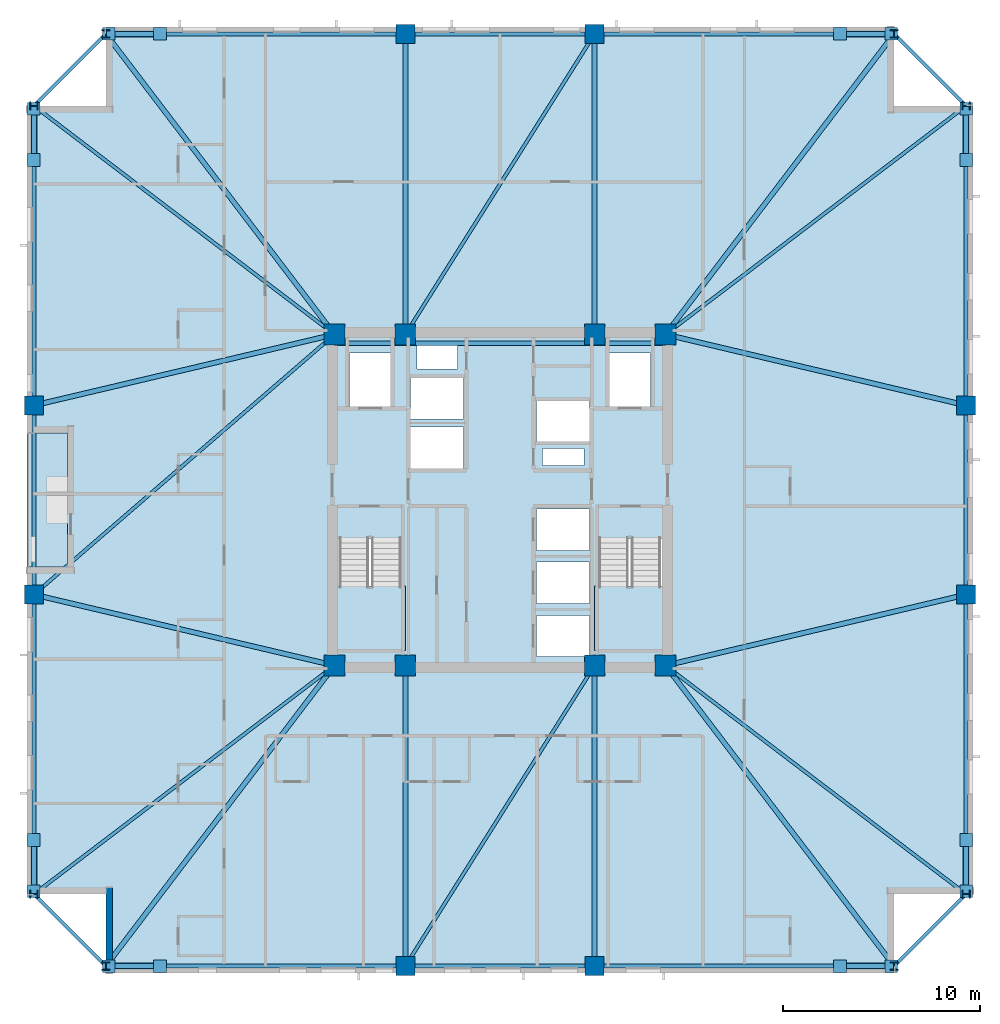
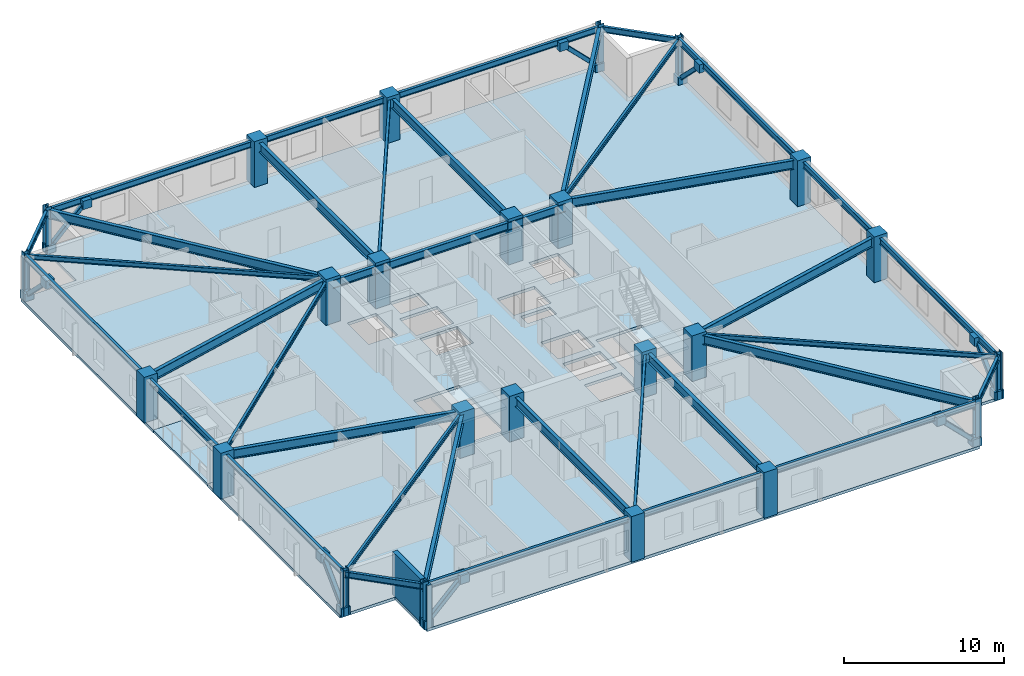
# One storey, part 1 of 11: 38 beams, 24 columns, 16 plates, 8 members, 4 slabs, 1 wall, 2 elements without a shape of their own.
"""IFC4 building model written with IfcOpenShell, lengths in metres."""

from ifc_helpers import new_model, si_unit, direction, frame, frame_2d, origin, origin_2d, place, context, subcontext, project, spatial, polyline, rectangle, hollow_rectangle, i_section, outline, extrude, material, layer, layer_set, material_profile, profile_set, type_object, element, aggregate, save


model = new_model("IFC4")

# Units and contexts
model_context = context("Model", 3, precision=1e-05, world=origin(), true_north=direction((0.0, 1.0)))
body_context = subcontext(model_context, "Body", "Model", "MODEL_VIEW")
ifc_project = project(units=[si_unit("LENGTHUNIT", "METRE"), si_unit("AREAUNIT", "SQUARE_METRE"), si_unit("VOLUMEUNIT", "CUBIC_METRE"), si_unit("PLANEANGLEUNIT", "RADIAN"), si_unit("MASSUNIT", "GRAM", prefix="KILO")], contexts=[model_context])

# Site, building, storey
site_placement = place(None, origin())
site = spatial("IfcSite", under=ifc_project, at=site_placement, CompositionType="ELEMENT")
building_placement = place(site_placement, origin())
building = spatial("IfcBuilding", under=site, at=building_placement, Name="Cairnveth Concourse Tower", CompositionType="ELEMENT")
storey_placement = place(building_placement, frame((0.0, 0.0, 123.5)))
storey = spatial("IfcBuildingStorey", under=building, at=storey_placement, Name="L33", CompositionType="ELEMENT", Elevation=123.5)

# Columns
ifc_material_1 = material(Name="Concrete N65 (65 MPa)", Category="concrete")
ifc_material_profile_1 = material_profile(ifc_material_1, rectangle(XDim=1.050048828125, YDim=1.050048828125, at=origin_2d()), Name="RC-COL-1050x1050")
ifc_profile_set_1 = profile_set([ifc_material_profile_1], Name="Concrete N65 (65 MPa)")
column_type_1 = type_object("IfcColumnType", Name="CORE COLUMN 1050X1050", PredefinedType="COLUMN", material=ifc_profile_set_1)
for number, where, z_axis, x_axis, name in (
    (1, (43.60009765625, 30.60009765625, 0.0), (0.0, 0.0, 1.0), (1.0, 0.0, 0.0), "Column CC1 L33"),
    (2, (47.199951171875, 30.60009765625, 0.0), (0.0, 0.0, 1.0), (1.0, 0.0, 0.0), "Column CC2 L33"),
    (3, (56.800048828125, 30.60009765625, 0.0), (0.0, 0.0, 1.0), (1.0, 0.0, 0.0), "Column CC3 L33"),
    (4, (60.39990234375, 30.60009765625, 0.0), (0.0, 0.0, 1.0), (1.0, 0.0, 0.0), "Column CC4 L33"),
    (5, (43.60009765625, 47.39990234375, 0.0), (0.0, 0.0, 1.0), (1.0, 0.0, 0.0), "Column CC5 L33"),
    (6, (47.199951171875, 47.39990234375, 0.0), (0.0, 0.0, 1.0), (1.0, 0.0, 0.0), "Column CC6 L33"),
    (7, (56.800048828125, 47.39990234375, 0.0), (0.0, 0.0, 1.0), (1.0, 0.0, 0.0), "Column CC7 L33"),
    (8, (60.39990234375, 47.39990234375, 0.0), (0.0, 0.0, 1.0), (1.0, 0.0, 0.0), "Column CC8 L33"),
):
    element("IfcColumn", number, at=place(storey_placement, frame(where, z_axis=z_axis, x_axis=x_axis)), inside=storey, type_object=column_type_1, Name=name, PredefinedType="COLUMN", context=body_context, shape_type="SweptSolid", body=[
        extrude(rectangle(XDim=1.050048828125, YDim=1.050048828125, at=origin_2d()), origin(), (0.0, 0.0, 1.0), 3.5),
    ])
ifc_material_profile_2 = material_profile(ifc_material_1, rectangle(XDim=0.949951171875, YDim=0.949951171875, at=origin_2d()), Name="RC-COL-950x950")
ifc_profile_set_2 = profile_set([ifc_material_profile_2], Name="Concrete N65 (65 MPa)")
column_type_2 = type_object("IfcColumnType", Name="PERIMETER PIER COLUMN 950X950", PredefinedType="COLUMN", material=ifc_profile_set_2)
for number, where, z_axis, x_axis, name in (
    (9, (47.199951171875, 15.35009765625, 0.0), (0.0, 0.0, 1.0), (1.0, 0.0, 0.0), "Column P-S2 L33"),
    (10, (56.800048828125, 15.35009765625, 0.0), (0.0, 0.0, 1.0), (1.0, 0.0, 0.0), "Column P-S3 L33"),
    (11, (75.64990234375, 34.199951171875, 0.0), (0.0, 0.0, 1.0), (0.0, 1.0, 0.0), "Column P-E2 L33"),
    (12, (75.64990234375, 43.800048828125, 0.0), (0.0, 0.0, 1.0), (0.0, 1.0, 0.0), "Column P-E3 L33"),
    (13, (56.800048828125, 62.64990234375, 0.0), (0.0, 0.0, 1.0), (1.0, 0.0, 0.0), "Column P-N2 L33"),
    (14, (47.199951171875, 62.64990234375, 0.0), (0.0, 0.0, 1.0), (1.0, 0.0, 0.0), "Column P-N3 L33"),
    (15, (28.35009765625, 43.800048828125, 0.0), (0.0, 0.0, 1.0), (0.0, 1.0, 0.0), "Column P-W2 L33"),
    (16, (28.35009765625, 34.199951171875, 0.0), (0.0, 0.0, 1.0), (0.0, 1.0, 0.0), "Column P-W3 L33"),
):
    element("IfcColumn", number, at=place(storey_placement, frame(where, z_axis=z_axis, x_axis=x_axis)), inside=storey, type_object=column_type_2, Name=name, PredefinedType="COLUMN", context=body_context, shape_type="SweptSolid", body=[
        extrude(rectangle(XDim=0.949951171875, YDim=0.949951171875, at=origin_2d()), origin(), (0.0, 0.0, 1.0), 3.5),
    ])
ifc_material_2 = material(Name="Steel Grade 350", Category="steel")
ifc_material_profile_3 = material_profile(ifc_material_2, i_section(OverallWidth=0.39990234375, OverallDepth=0.39990234375, WebThickness=0.02197265625, FlangeThickness=0.035888671875, at=origin_2d()), Name="400WC270")
ifc_profile_set_3 = profile_set([ifc_material_profile_3], Name="Steel Grade 350")
column_type_3 = type_object("IfcColumnType", Name="WELDED STEEL COLUMN 400WC270", PredefinedType="COLUMN", material=ifc_profile_set_3)
for number, where, z_axis, x_axis, name in (
    (17, (32.0, 15.35009765625, 0.0), (0.0, 0.0, 1.0), (1.0, 0.0, 0.0), "Column P-S1 L33"),
    (18, (72.0, 15.35009765625, 0.0), (0.0, 0.0, 1.0), (1.0, 0.0, 0.0), "Column P-S4 L33"),
    (19, (75.64990234375, 19.0, 0.0), (0.0, 0.0, 1.0), (0.0, 1.0, 0.0), "Column P-E1 L33"),
    (20, (75.64990234375, 59.0, 0.0), (0.0, 0.0, 1.0), (0.0, 1.0, 0.0), "Column P-E4 L33"),
    (21, (72.0, 62.64990234375, 0.0), (0.0, 0.0, 1.0), (1.0, 0.0, 0.0), "Column P-N1 L33"),
    (22, (32.0, 62.64990234375, 0.0), (0.0, 0.0, 1.0), (1.0, 0.0, 0.0), "Column P-N4 L33"),
    (23, (28.35009765625, 59.0, 0.0), (0.0, 0.0, 1.0), (0.0, 1.0, 0.0), "Column P-W1 L33"),
    (24, (28.35009765625, 19.0, 0.0), (0.0, 0.0, 1.0), (0.0, 1.0, 0.0), "Column P-W4 L33"),
):
    element("IfcColumn", number, at=place(storey_placement, frame(where, z_axis=z_axis, x_axis=x_axis)), inside=storey, type_object=column_type_3, Name=name, PredefinedType="COLUMN", context=body_context, shape_type="SweptSolid", body=[
        extrude(i_section(OverallWidth=0.39990234375, OverallDepth=0.39990234375, WebThickness=0.02197265625, FlangeThickness=0.035888671875, at=origin_2d()), origin(), (0.0, 0.0, 1.0), 3.5),
    ])

# Beams
ifc_material_profile_4 = material_profile(ifc_material_2, i_section(OverallWidth=0.22802734375, OverallDepth=0.60693359375, WebThickness=0.01123046875, FlangeThickness=0.017333984375, FilletRadius=0.013916015625, at=origin_2d()), Name="610UB113")
ifc_profile_set_4 = profile_set([ifc_material_profile_4], Name="Steel Grade 350")
beam_type_1 = type_object("IfcBeamType", Name="CORE TIE BEAM 610UB113", PredefinedType="T_BEAM", material=ifc_profile_set_4)
for number, where, z_axis, x_axis, name in (
    (25, (43.60009765625, 46.949951171875, 2.9765625), (1.0, 0.0, 0.0), (0.0, 1.0, 0.0), "Beam CT-N1 L33"),
    (26, (56.800048828125, 46.949951171875, 2.9765625), (1.0, 0.0, 0.0), (0.0, 1.0, 0.0), "Beam CT-N3 L33"),
):
    element("IfcBeam", number, at=place(storey_placement, frame(where, z_axis=z_axis, x_axis=x_axis)), inside=storey, type_object=beam_type_1, Name=name, PredefinedType="T_BEAM", context=body_context, shape_type="SweptSolid", body=[
        extrude(i_section(OverallWidth=0.22802734375, OverallDepth=0.60693359375, WebThickness=0.01123046875, FlangeThickness=0.017333984375, FilletRadius=0.013916015625, at=origin_2d()), origin(), (0.0, 0.0, 1.0), 3.599853515625),
    ])
beam_1_placement = place(storey_placement, frame((47.199951171875, 46.949951171875, 2.9765625), z_axis=(1.0, 0.0, 0.0), x_axis=(0.0, 1.0, 0.0)))
element("IfcBeam", 27, at=beam_1_placement, inside=storey, type_object=beam_type_1, Name="Beam CT-N2 L33", PredefinedType="T_BEAM", context=body_context, shape_type="SweptSolid", body=[
    extrude(i_section(OverallWidth=0.22802734375, OverallDepth=0.60693359375, WebThickness=0.01123046875, FlangeThickness=0.017333984375, FilletRadius=0.013916015625, at=origin_2d()), origin(), (0.0, 0.0, 1.0), 9.60009765625),
])
ifc_material_profile_5 = material_profile(ifc_material_2, i_section(OverallWidth=0.172119140625, OverallDepth=0.35888671875, WebThickness=0.008056640625, FlangeThickness=0.012939453125, FilletRadius=0.010986328125, at=origin_2d()), Name="360UB56.7")
ifc_profile_set_5 = profile_set([ifc_material_profile_5], Name="Steel Grade 350")
beam_type_2 = type_object("IfcBeamType", Name="ZONE 2 FLOOR JOIST 360UB56.7", PredefinedType="JOIST", material=ifc_profile_set_5)
for number, where, z_axis, x_axis, name in (
    (28, (28.35009765625, 19.0, 3.1005859375), (0.795908242904, 0.6054172684, 0.0), (-0.6054172684, 0.795908242904, 0.0), "Beam FJ-CSW2 L33"),
    (29, (75.64990234375, 19.0, 3.1005859375), (-0.795908242904, 0.6054172684, 0.0), (-0.6054172684, -0.795908242904, 0.0), "Beam FJ-CSE2 L33"),
    (30, (75.64990234375, 59.0, 3.1005859375), (-0.795908242904, -0.6054172684, 0.0), (0.6054172684, -0.795908242904, 0.0), "Beam FJ-CNE2 L33"),
    (31, (28.35009765625, 59.0, 3.1005859375), (0.795908242904, -0.6054172684, 0.0), (0.6054172684, 0.795908242904, 0.0), "Beam FJ-CNW2 L33"),
):
    element("IfcBeam", number, at=place(storey_placement, frame(where, z_axis=z_axis, x_axis=x_axis)), inside=storey, type_object=beam_type_2, Name=name, PredefinedType="JOIST", context=body_context, shape_type="SweptSolid", body=[
        extrude(i_section(OverallWidth=0.172119140625, OverallDepth=0.35888671875, WebThickness=0.008056640625, FlangeThickness=0.012939453125, FilletRadius=0.010986328125, at=origin_2d()), origin(), (0.0, 0.0, 1.0), 19.160400390625),
    ])
for number, where, z_axis, x_axis, name in (
    (32, (47.199951171875, 15.35009765625, 3.1005859375), (0.532743557037, 0.84627672923, 0.0), (-0.84627672923, 0.532743557037, 0.0), "Beam FJ-S-M1 L33"),
    (33, (47.199951171875, 47.39990234375, 3.1005859375), (0.532743557037, 0.84627672923, 0.0), (-0.84627672923, 0.532743557037, 0.0), "Beam FJ-N-M1 L33"),
):
    element("IfcBeam", number, at=place(storey_placement, frame(where, z_axis=z_axis, x_axis=x_axis)), inside=storey, type_object=beam_type_2, Name=name, PredefinedType="JOIST", context=body_context, shape_type="SweptSolid", body=[
        extrude(i_section(OverallWidth=0.172119140625, OverallDepth=0.35888671875, WebThickness=0.008056640625, FlangeThickness=0.012939453125, FilletRadius=0.010986328125, at=origin_2d()), origin(), (0.0, 0.0, 1.0), 18.02001953125),
    ])
beam_2_placement = place(storey_placement, frame((28.35009765625, 34.199951171875, 3.1005859375), z_axis=(0.756099107057, 0.654457134049, 0.0), x_axis=(-0.654457134049, 0.756099107057, 0.0)))
element("IfcBeam", 34, at=beam_2_placement, inside=storey, type_object=beam_type_2, Name="Beam FJ-W-M1 L33", PredefinedType="JOIST", context=body_context, shape_type="SweptSolid", body=[
    extrude(i_section(OverallWidth=0.172119140625, OverallDepth=0.35888671875, WebThickness=0.008056640625, FlangeThickness=0.012939453125, FilletRadius=0.010986328125, at=origin_2d()), origin(), (0.0, 0.0, 1.0), 20.16943359375),
])

# Members
ifc_material_3 = material(Name="Steel C350L0 (350 MPa)", Category="steel")
ifc_material_profile_6 = material_profile(ifc_material_3, hollow_rectangle(XDim=0.300048828125, YDim=0.300048828125, WallThickness=0.01611328125, InnerFilletRadius=0.01611328125, OuterFilletRadius=0.031982421875, at=origin_2d()), Name="300x300x16.0SHS")
ifc_profile_set_6 = profile_set([ifc_material_profile_6], Name="Steel C350L0 (350 MPa)")
member_type = type_object("IfcMemberType", Name="ZONE 2 PIER BRACE 300X300X16SHS", PredefinedType="BRACE", material=ifc_profile_set_6)
for number, where, z_axis, x_axis, name in (
    (35, (32.14990234375, 15.35009765625, 0.25), (0.709834195787, 0.0, 0.704368805735), (0.0, 1.0, 0.0), "Structural Brace PB-S1 L33"),
    (36, (71.85009765625, 15.35009765625, 0.25), (-0.709834195787, 0.0, 0.704368805735), (0.0, -1.0, 0.0), "Structural Brace PB-S2 L33"),
    (37, (32.14990234375, 62.64990234375, 0.25), (0.709834195787, 0.0, 0.704368805735), (0.0, 1.0, 0.0), "Structural Brace PB-N1 L33"),
    (38, (71.85009765625, 62.64990234375, 0.25), (-0.709834195787, 0.0, 0.704368805735), (0.0, -1.0, 0.0), "Structural Brace PB-N2 L33"),
    (39, (28.35009765625, 19.14990234375, 0.25), (0.0, 0.709834195787, 0.704368805735), (-1.0, 0.0, 0.0), "Structural Brace PB-W1 L33"),
    (40, (28.35009765625, 58.85009765625, 0.25), (0.0, -0.709834195787, 0.704368805735), (1.0, 0.0, 0.0), "Structural Brace PB-W2 L33"),
    (41, (75.64990234375, 19.14990234375, 0.25), (0.0, 0.709834195787, 0.704368805735), (-1.0, 0.0, 0.0), "Structural Brace PB-E1 L33"),
    (42, (75.64990234375, 58.85009765625, 0.25), (0.0, -0.709834195787, 0.704368805735), (1.0, 0.0, 0.0), "Structural Brace PB-E2 L33"),
):
    element("IfcMember", number, at=place(storey_placement, frame(where, z_axis=z_axis, x_axis=x_axis)), inside=storey, type_object=member_type, Name=name, PredefinedType="BRACE", context=body_context, shape_type="SweptSolid", body=[
        extrude(hollow_rectangle(XDim=0.300048828125, YDim=0.300048828125, WallThickness=0.01611328125, InnerFilletRadius=0.01611328125, OuterFilletRadius=0.031982421875, at=origin_2d()), origin(), (0.0, 0.0, 1.0), 3.6630859375),
    ])

# Beams
ifc_material_profile_7 = material_profile(ifc_material_2, i_section(OverallWidth=0.25, OverallDepth=0.699951171875, WebThickness=0.011962890625, FlangeThickness=0.028076171875, at=origin_2d()), Name="700WB173")
ifc_profile_set_7 = profile_set([ifc_material_profile_7], Name="Steel Grade 350")
beam_type_3 = type_object("IfcBeamType", Name="ZONE 2 RADIAL GIRDER 700WB173", PredefinedType="BEAM", material=ifc_profile_set_7)
for number, where, z_axis, x_axis, name in (
    (43, (47.199951171875, 15.35009765625, 2.929931640625), (0.0, 1.0, 0.0), (-1.0, 0.0, 0.0), "Beam RG-S1 L33"),
    (44, (56.800048828125, 15.35009765625, 2.929931640625), (0.0, 1.0, 0.0), (-1.0, 0.0, 0.0), "Beam RG-S2 L33"),
    (45, (47.199951171875, 47.39990234375, 2.929931640625), (0.0, 1.0, 0.0), (-1.0, 0.0, 0.0), "Beam RG-N1 L33"),
    (46, (56.800048828125, 47.39990234375, 2.929931640625), (0.0, 1.0, 0.0), (-1.0, 0.0, 0.0), "Beam RG-N2 L33"),
):
    element("IfcBeam", number, at=place(storey_placement, frame(where, z_axis=z_axis, x_axis=x_axis)), inside=storey, type_object=beam_type_3, Name=name, PredefinedType="BEAM", context=body_context, shape_type="SweptSolid", body=[
        extrude(i_section(OverallWidth=0.25, OverallDepth=0.699951171875, WebThickness=0.011962890625, FlangeThickness=0.028076171875, at=origin_2d()), origin(), (0.0, 0.0, 1.0), 15.25),
    ])
for number, where, z_axis, x_axis, name in (
    (47, (28.35009765625, 34.199951171875, 2.929931640625), (0.973251602929, -0.229741849468, 0.0), (0.229741849468, 0.973251602929, 0.0), "Beam RG-W1 L33"),
    (48, (28.35009765625, 43.800048828125, 2.929931640625), (0.973251602929, 0.229741849468, 0.0), (-0.229741849468, 0.973251602929, 0.0), "Beam RG-W2 L33"),
    (49, (60.39990234375, 30.60009765625, 2.929931640625), (0.973251602929, 0.229741849468, 0.0), (-0.229741849468, 0.973251602929, 0.0), "Beam RG-E1 L33"),
    (50, (60.39990234375, 47.39990234375, 2.929931640625), (0.973251602929, -0.229741849468, 0.0), (0.229741849468, 0.973251602929, 0.0), "Beam RG-E2 L33"),
):
    element("IfcBeam", number, at=place(storey_placement, frame(where, z_axis=z_axis, x_axis=x_axis)), inside=storey, type_object=beam_type_3, Name=name, PredefinedType="BEAM", context=body_context, shape_type="SweptSolid", body=[
        extrude(i_section(OverallWidth=0.25, OverallDepth=0.699951171875, WebThickness=0.011962890625, FlangeThickness=0.028076171875, at=origin_2d()), origin(), (0.0, 0.0, 1.0), 15.669189453125),
    ])
for number, where, z_axis, x_axis, name in (
    (51, (32.0, 15.35009765625, 2.929931640625), (0.6054172684, 0.795908242904, 0.0), (-0.795908242904, 0.6054172684, 0.0), "Beam RG-CSW L33"),
    (52, (72.0, 15.35009765625, 2.929931640625), (-0.6054172684, 0.795908242904, 0.0), (-0.795908242904, -0.6054172684, 0.0), "Beam RG-CSE L33"),
    (53, (72.0, 62.64990234375, 2.929931640625), (-0.6054172684, -0.795908242904, 0.0), (0.795908242904, -0.6054172684, 0.0), "Beam RG-CNE L33"),
    (54, (32.0, 62.64990234375, 2.929931640625), (0.6054172684, -0.795908242904, 0.0), (0.795908242904, 0.6054172684, 0.0), "Beam RG-CNW L33"),
):
    element("IfcBeam", number, at=place(storey_placement, frame(where, z_axis=z_axis, x_axis=x_axis)), inside=storey, type_object=beam_type_3, Name=name, PredefinedType="BEAM", context=body_context, shape_type="SweptSolid", body=[
        extrude(i_section(OverallWidth=0.25, OverallDepth=0.699951171875, WebThickness=0.011962890625, FlangeThickness=0.028076171875, at=origin_2d()), origin(), (0.0, 0.0, 1.0), 19.160400390625),
    ])
ifc_material_profile_8 = material_profile(ifc_material_2, i_section(OverallWidth=0.18994140625, OverallDepth=0.45703125, WebThickness=0.009033203125, FlangeThickness=0.014404296875, FilletRadius=0.010986328125, at=origin_2d()), Name="460UB74.6")
ifc_profile_set_8 = profile_set([ifc_material_profile_8], Name="Steel Grade 350")
beam_type_4 = type_object("IfcBeamType", Name="ZONE 2 SPANDREL BEAM 460UB74.6", PredefinedType="SPANDREL", material=ifc_profile_set_8)
beam_3_placement = place(storey_placement, frame((32.0, 15.35009765625, 3.051513671875), z_axis=(1.0, 0.0, 0.0), x_axis=(0.0, 1.0, 0.0)))
element("IfcBeam", 55, at=beam_3_placement, inside=storey, type_object=beam_type_4, Name="Beam SP-S1 L33", PredefinedType="SPANDREL", context=body_context, shape_type="SweptSolid", body=[
    extrude(i_section(OverallWidth=0.18994140625, OverallDepth=0.45703125, WebThickness=0.009033203125, FlangeThickness=0.014404296875, FilletRadius=0.010986328125, at=origin_2d()), origin(), (0.0, 0.0, 1.0), 15.199951171875),
])
beam_4_placement = place(storey_placement, frame((47.199951171875, 15.35009765625, 3.051513671875), z_axis=(1.0, 0.0, 0.0), x_axis=(0.0, 1.0, 0.0)))
element("IfcBeam", 56, at=beam_4_placement, inside=storey, type_object=beam_type_4, Name="Beam SP-S2 L33", PredefinedType="SPANDREL", context=body_context, shape_type="SweptSolid", body=[
    extrude(i_section(OverallWidth=0.18994140625, OverallDepth=0.45703125, WebThickness=0.009033203125, FlangeThickness=0.014404296875, FilletRadius=0.010986328125, at=origin_2d()), origin(), (0.0, 0.0, 1.0), 9.60009765625),
])
for number, where, z_axis, x_axis, name in (
    (57, (56.800048828125, 15.35009765625, 3.051513671875), (1.0, 0.0, 0.0), (0.0, 1.0, 0.0), "Beam SP-S3 L33"),
    (58, (32.0, 62.64990234375, 3.051513671875), (1.0, 0.0, 0.0), (0.0, 1.0, 0.0), "Beam SP-N1 L33"),
):
    element("IfcBeam", number, at=place(storey_placement, frame(where, z_axis=z_axis, x_axis=x_axis)), inside=storey, type_object=beam_type_4, Name=name, PredefinedType="SPANDREL", context=body_context, shape_type="SweptSolid", body=[
        extrude(i_section(OverallWidth=0.18994140625, OverallDepth=0.45703125, WebThickness=0.009033203125, FlangeThickness=0.014404296875, FilletRadius=0.010986328125, at=origin_2d()), origin(), (0.0, 0.0, 1.0), 15.199951171875),
    ])
beam_5_placement = place(storey_placement, frame((47.199951171875, 62.64990234375, 3.051513671875), z_axis=(1.0, 0.0, 0.0), x_axis=(0.0, 1.0, 0.0)))
element("IfcBeam", 59, at=beam_5_placement, inside=storey, type_object=beam_type_4, Name="Beam SP-N2 L33", PredefinedType="SPANDREL", context=body_context, shape_type="SweptSolid", body=[
    extrude(i_section(OverallWidth=0.18994140625, OverallDepth=0.45703125, WebThickness=0.009033203125, FlangeThickness=0.014404296875, FilletRadius=0.010986328125, at=origin_2d()), origin(), (0.0, 0.0, 1.0), 9.60009765625),
])
for number, where, z_axis, x_axis, name in (
    (60, (56.800048828125, 62.64990234375, 3.051513671875), (1.0, 0.0, 0.0), (0.0, 1.0, 0.0), "Beam SP-N3 L33"),
    (61, (28.35009765625, 19.0, 3.051513671875), (0.0, 1.0, 0.0), (-1.0, 0.0, 0.0), "Beam SP-W1 L33"),
):
    element("IfcBeam", number, at=place(storey_placement, frame(where, z_axis=z_axis, x_axis=x_axis)), inside=storey, type_object=beam_type_4, Name=name, PredefinedType="SPANDREL", context=body_context, shape_type="SweptSolid", body=[
        extrude(i_section(OverallWidth=0.18994140625, OverallDepth=0.45703125, WebThickness=0.009033203125, FlangeThickness=0.014404296875, FilletRadius=0.010986328125, at=origin_2d()), origin(), (0.0, 0.0, 1.0), 15.199951171875),
    ])
beam_6_placement = place(storey_placement, frame((28.35009765625, 34.199951171875, 3.051513671875), z_axis=(0.0, 1.0, 0.0), x_axis=(-1.0, 0.0, 0.0)))
element("IfcBeam", 62, at=beam_6_placement, inside=storey, type_object=beam_type_4, Name="Beam SP-W2 L33", PredefinedType="SPANDREL", context=body_context, shape_type="SweptSolid", body=[
    extrude(i_section(OverallWidth=0.18994140625, OverallDepth=0.45703125, WebThickness=0.009033203125, FlangeThickness=0.014404296875, FilletRadius=0.010986328125, at=origin_2d()), origin(), (0.0, 0.0, 1.0), 9.60009765625),
])
for number, where, z_axis, x_axis, name in (
    (63, (28.35009765625, 43.800048828125, 3.051513671875), (0.0, 1.0, 0.0), (-1.0, 0.0, 0.0), "Beam SP-W3 L33"),
    (64, (75.64990234375, 19.0, 3.051513671875), (0.0, 1.0, 0.0), (-1.0, 0.0, 0.0), "Beam SP-E1 L33"),
):
    element("IfcBeam", number, at=place(storey_placement, frame(where, z_axis=z_axis, x_axis=x_axis)), inside=storey, type_object=beam_type_4, Name=name, PredefinedType="SPANDREL", context=body_context, shape_type="SweptSolid", body=[
        extrude(i_section(OverallWidth=0.18994140625, OverallDepth=0.45703125, WebThickness=0.009033203125, FlangeThickness=0.014404296875, FilletRadius=0.010986328125, at=origin_2d()), origin(), (0.0, 0.0, 1.0), 15.199951171875),
    ])
beam_7_placement = place(storey_placement, frame((75.64990234375, 34.199951171875, 3.051513671875), z_axis=(0.0, 1.0, 0.0), x_axis=(-1.0, 0.0, 0.0)))
element("IfcBeam", 65, at=beam_7_placement, inside=storey, type_object=beam_type_4, Name="Beam SP-E2 L33", PredefinedType="SPANDREL", context=body_context, shape_type="SweptSolid", body=[
    extrude(i_section(OverallWidth=0.18994140625, OverallDepth=0.45703125, WebThickness=0.009033203125, FlangeThickness=0.014404296875, FilletRadius=0.010986328125, at=origin_2d()), origin(), (0.0, 0.0, 1.0), 9.60009765625),
])
beam_8_placement = place(storey_placement, frame((75.64990234375, 43.800048828125, 3.051513671875), z_axis=(0.0, 1.0, 0.0), x_axis=(-1.0, 0.0, 0.0)))
element("IfcBeam", 66, at=beam_8_placement, inside=storey, type_object=beam_type_4, Name="Beam SP-E3 L33", PredefinedType="SPANDREL", context=body_context, shape_type="SweptSolid", body=[
    extrude(i_section(OverallWidth=0.18994140625, OverallDepth=0.45703125, WebThickness=0.009033203125, FlangeThickness=0.014404296875, FilletRadius=0.010986328125, at=origin_2d()), origin(), (0.0, 0.0, 1.0), 15.199951171875),
])
for number, where, z_axis, x_axis, name in (
    (67, (28.35009765625, 19.0, 3.051513671875), (0.707106781187, -0.707106781187, 0.0), (0.707106781187, 0.707106781187, 0.0), "Beam SP-SW L33"),
    (68, (72.0, 15.35009765625, 3.051513671875), (0.707106781187, 0.707106781187, 0.0), (-0.707106781187, 0.707106781187, 0.0), "Beam SP-SE L33"),
    (69, (72.0, 62.64990234375, 3.051513671875), (0.707106781187, -0.707106781187, 0.0), (0.707106781187, 0.707106781187, 0.0), "Beam SP-NE L33"),
    (70, (28.35009765625, 59.0, 3.051513671875), (0.707106781187, 0.707106781187, 0.0), (-0.707106781187, 0.707106781187, 0.0), "Beam SP-NW L33"),
):
    element("IfcBeam", number, at=place(storey_placement, frame(where, z_axis=z_axis, x_axis=x_axis)), inside=storey, type_object=beam_type_4, Name=name, PredefinedType="SPANDREL", context=body_context, shape_type="SweptSolid", body=[
        extrude(i_section(OverallWidth=0.18994140625, OverallDepth=0.45703125, WebThickness=0.009033203125, FlangeThickness=0.014404296875, FilletRadius=0.010986328125, at=origin_2d()), origin(), (0.0, 0.0, 1.0), 5.16162109375),
    ])

# Slab
ifc_material_4 = material(Name="Concrete N50 (50 MPa)", Category="concrete")
ifc_layer_1 = layer(ifc_material_4, 0.219970703125)
ifc_layer_set_1 = layer_set([ifc_layer_1], Name="Concrete N50 (50 MPa)")
slab_type_1 = type_object("IfcSlabType", Name="LOWER TOWER COMPOSITE SLAB 220", PredefinedType="FLOOR", material=ifc_layer_set_1)
slab_1_placement = place(storey_placement, frame((0.0, 0.0, -0.219970703125)))
element("IfcSlab", 71, at=slab_1_placement, inside=storey, type_object=slab_type_1, Name="Tower Floor Slab L33", PredefinedType="FLOOR", context=body_context, shape_type="SweptSolid", body=[
    extrude(outline(polyline([(28.0, 42.39990234375), (30.050048828125, 42.39990234375), (30.050048828125, 35.60009765625), (28.0, 35.60009765625), (28.0, 19.0), (32.0, 19.0), (32.0, 15.0), (72.0, 15.0), (72.0, 19.0), (76.0, 19.0), (76.0, 59.0), (72.0, 59.0), (72.0, 63.0), (32.0, 63.0), (32.0, 59.0), (28.0, 59.0), (28.0, 42.39990234375)]), holes=[polyline([(43.760009765625, 31.360107421875), (47.06005859375, 31.360107421875), (47.06005859375, 37.0400390625), (43.760009765625, 37.0400390625), (43.760009765625, 31.360107421875)]), polyline([(56.93994140625, 31.360107421875), (60.239990234375, 31.360107421875), (60.239990234375, 37.0400390625), (56.93994140625, 37.0400390625), (56.93994140625, 31.360107421875)]), polyline([(44.3701171875, 43.75), (46.469970703125, 43.75), (46.469970703125, 46.449951171875), (44.3701171875, 46.449951171875), (44.3701171875, 43.75)]), polyline([(57.530029296875, 43.75), (59.6298828125, 43.75), (59.6298828125, 46.449951171875), (57.530029296875, 46.449951171875), (57.530029296875, 43.75)]), polyline([(53.85009765625, 31.050048828125), (56.550048828125, 31.050048828125), (56.550048828125, 33.14990234375), (53.85009765625, 33.14990234375), (53.85009765625, 31.050048828125)]), polyline([(53.85009765625, 33.75), (56.550048828125, 33.75), (56.550048828125, 35.85009765625), (53.85009765625, 35.85009765625), (53.85009765625, 33.75)]), polyline([(53.85009765625, 36.449951171875), (56.550048828125, 36.449951171875), (56.550048828125, 38.550048828125), (53.85009765625, 38.550048828125), (53.85009765625, 36.449951171875)]), polyline([(47.449951171875, 40.60009765625), (50.14990234375, 40.60009765625), (50.14990234375, 42.699951171875), (47.449951171875, 42.699951171875), (47.449951171875, 40.60009765625)]), polyline([(47.449951171875, 43.10009765625), (50.14990234375, 43.10009765625), (50.14990234375, 45.199951171875), (47.449951171875, 45.199951171875), (47.449951171875, 43.10009765625)]), polyline([(53.85009765625, 41.949951171875), (56.550048828125, 41.949951171875), (56.550048828125, 44.050048828125), (53.85009765625, 44.050048828125), (53.85009765625, 41.949951171875)]), polyline([(47.800048828125, 45.64990234375), (49.85009765625, 45.64990234375), (49.85009765625, 47.050048828125), (47.800048828125, 47.050048828125), (47.800048828125, 45.64990234375)]), polyline([(54.14990234375, 40.75), (56.25, 40.75), (56.25, 41.6201171875), (54.14990234375, 41.6201171875), (54.14990234375, 40.75)])]), origin(), (0.0, 0.0, 1.0), 0.219970703125),
])

# Plates
ifc_layer_2 = layer(ifc_material_2, 0.031982421875)
ifc_layer_set_2 = layer_set([ifc_layer_2], Name="Steel Grade 350")
plate_type = type_object("IfcPlateType", Name="PERIMETER BRACE GUSSET PLATE 32", PredefinedType="USERDEFINED", material=ifc_layer_set_2)
for number, where, z_axis, x_axis, name in (
    (72, (32.14990234375, 15.35009765625, -0.06982421875), (0.0, 0.0, 1.0), (1.0, 0.0, 0.0), "Structural Node Plate 0561 L33"),
    (73, (34.75, 15.35009765625, 2.51025390625), (0.0, 0.0, 1.0), (1.0, 0.0, 0.0), "Structural Node Plate 0562 L33"),
    (74, (71.85009765625, 15.35009765625, -0.06982421875), (0.0, 0.0, 1.0), (1.0, 0.0, 0.0), "Structural Node Plate 0563 L33"),
    (75, (69.25, 15.35009765625, 2.51025390625), (0.0, 0.0, 1.0), (1.0, 0.0, 0.0), "Structural Node Plate 0564 L33"),
    (76, (32.14990234375, 62.64990234375, -0.06982421875), (0.0, 0.0, 1.0), (1.0, 0.0, 0.0), "Structural Node Plate 0565 L33"),
    (77, (34.75, 62.64990234375, 2.51025390625), (0.0, 0.0, 1.0), (1.0, 0.0, 0.0), "Structural Node Plate 0566 L33"),
    (78, (71.85009765625, 62.64990234375, -0.06982421875), (0.0, 0.0, 1.0), (1.0, 0.0, 0.0), "Structural Node Plate 0567 L33"),
    (79, (69.25, 62.64990234375, 2.51025390625), (0.0, 0.0, 1.0), (1.0, 0.0, 0.0), "Structural Node Plate 0568 L33"),
    (80, (28.35009765625, 19.14990234375, -0.06982421875), (0.0, 0.0, 1.0), (1.0, 0.0, 0.0), "Structural Node Plate 0569 L33"),
    (81, (28.35009765625, 21.75, 2.51025390625), (0.0, 0.0, 1.0), (1.0, 0.0, 0.0), "Structural Node Plate 0570 L33"),
    (82, (28.35009765625, 58.85009765625, -0.06982421875), (0.0, 0.0, 1.0), (1.0, 0.0, 0.0), "Structural Node Plate 0571 L33"),
    (83, (28.35009765625, 56.25, 2.51025390625), (0.0, 0.0, 1.0), (1.0, 0.0, 0.0), "Structural Node Plate 0572 L33"),
    (84, (75.64990234375, 19.14990234375, -0.06982421875), (0.0, 0.0, 1.0), (1.0, 0.0, 0.0), "Structural Node Plate 0573 L33"),
    (85, (75.64990234375, 21.75, 2.51025390625), (0.0, 0.0, 1.0), (1.0, 0.0, 0.0), "Structural Node Plate 0574 L33"),
    (86, (75.64990234375, 58.85009765625, -0.06982421875), (0.0, 0.0, 1.0), (1.0, 0.0, 0.0), "Structural Node Plate 0575 L33"),
    (87, (75.64990234375, 56.25, 2.51025390625), (0.0, 0.0, 1.0), (1.0, 0.0, 0.0), "Structural Node Plate 0576 L33"),
):
    element("IfcPlate", number, at=place(storey_placement, frame(where, z_axis=z_axis, x_axis=x_axis)), inside=storey, type_object=plate_type, Name=name, ObjectType="GUSSET PLATE", PredefinedType="USERDEFINED", context=body_context, shape_type="SweptSolid", body=[
        extrude(rectangle(XDim=0.639892578125, YDim=0.639892578125, at=origin_2d()), origin(), (0.0, 0.0, 1.0), 0.639892578125),
    ])

# Slab
ifc_layer_3 = layer(ifc_material_4, 0.18994140625)
ifc_layer_set_3 = layer_set([ifc_layer_3], Name="Concrete N50 (50 MPa)")
slab_type_2 = type_object("IfcSlabType", Name="SPIRAL OUTDOOR TERRACE SLAB 190", PredefinedType="FLOOR", material=ifc_layer_set_3)
slab_2_placement = place(storey_placement, frame((0.0, 0.0, -0.18994140625)))
element("IfcSlab", 88, at=slab_2_placement, inside=storey, type_object=slab_type_2, Name="Spiral Terrace Slab L33", PredefinedType="FLOOR", context=body_context, shape_type="SweptSolid", body=[
    extrude(outline(polyline([(28.0, 35.60009765625), (30.050048828125, 35.60009765625), (30.050048828125, 42.39990234375), (28.0, 42.39990234375), (28.0, 35.60009765625)])), origin(), (0.0, 0.0, 1.0), 0.18994140625),
])

# Stair, slab
ifc_material_5 = material(Name="Precast concrete N50 (50 MPa)", Category="concrete")
stair_type = type_object("IfcStairType", Name="CORE DOG-LEG FIRE STAIR 1500", PredefinedType="HALF_TURN_STAIR", material=ifc_material_5)
stair_1_placement = place(storey_placement, origin())
stair_1 = element("IfcStair", 89, at=stair_1_placement, inside=storey, type_object=stair_type, Name="L33 Fire-Isolated Stair ST-1", PredefinedType="HALF_TURN_STAIR")
ifc_layer_4 = layer(ifc_material_4, 0.199951171875)
ifc_layer_set_4 = layer_set([ifc_layer_4], Name="Concrete N50 (50 MPa)")
slab_type_3 = type_object("IfcSlabType", Name="STAIR HALF LANDING SLAB 200", PredefinedType="LANDING", material=ifc_layer_set_4)
slab_3_placement = place(storey_placement, frame((0.0, 0.0, 1.550048828125)))
slab_3 = element("IfcSlab", 90, at=slab_3_placement, type_object=slab_type_3, Name="ST-1 landing 1", PredefinedType="LANDING", context=body_context, shape_type="SweptSolid", body=[
    extrude(outline(polyline([(43.6201171875, 34.639892578125), (43.6201171875, 31.3701171875), (47.199951171875, 31.3701171875), (47.199951171875, 34.639892578125), (43.6201171875, 34.639892578125)])), origin(), (0.0, 0.0, 1.0), 0.199951171875),
])
aggregate(stair_1, [slab_3])

stair_2_placement = place(storey_placement, origin())
stair_2 = element("IfcStair", 91, at=stair_2_placement, inside=storey, type_object=stair_type, Name="L33 Fire-Isolated Stair ST-2", PredefinedType="HALF_TURN_STAIR")
slab_4_placement = place(storey_placement, frame((0.0, 0.0, 1.550048828125)))
slab_4 = element("IfcSlab", 92, at=slab_4_placement, type_object=slab_type_3, Name="ST-2 landing 1", PredefinedType="LANDING", context=body_context, shape_type="SweptSolid", body=[
    extrude(outline(polyline([(56.800048828125, 34.639892578125), (56.800048828125, 31.3701171875), (60.3798828125, 31.3701171875), (60.3798828125, 34.639892578125), (56.800048828125, 34.639892578125)])), origin(), (0.0, 0.0, 1.0), 0.199951171875),
])
aggregate(stair_2, [slab_4])

# Wall
ifc_material_6 = material(Name="Hawthorn Red-Ochre Fired Clay Brick Masonry", Category="masonry")
ifc_layer_5 = layer(ifc_material_6, 0.340087890625)
ifc_layer_set_5 = layer_set([ifc_layer_5], Name="Hawthorn Red-Ochre Fired Clay Brick Masonry")
wall_type = type_object("IfcWallType", Name="ZONE 2 BRICK PIER SPANDREL WALL 340", PredefinedType="SOLIDWALL", material=ifc_layer_set_5)
wall_placement = place(storey_placement, frame((32.169921875, 15.0, 0.0), z_axis=(0.0, 0.0, 1.0), x_axis=(0.0, 1.0, 0.0)))
element("IfcWall", 93, at=wall_placement, inside=storey, type_object=wall_type, Name="Exterior Wall EW-L33-S10", PredefinedType="SOLIDWALL", context=body_context, shape_type="SweptSolid", body=[
    extrude(rectangle(XDim=4.340087890625, YDim=0.340087890625, at=frame_2d((2.169921875, 0.0))), origin(), (0.0, 0.0, 1.0), 3.280029296875),
])

save(model, "model.ifc")
